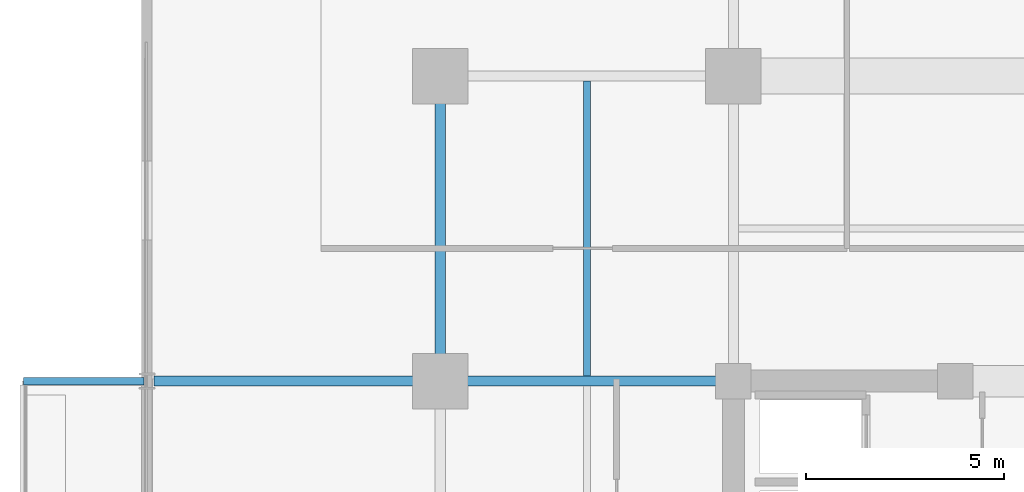
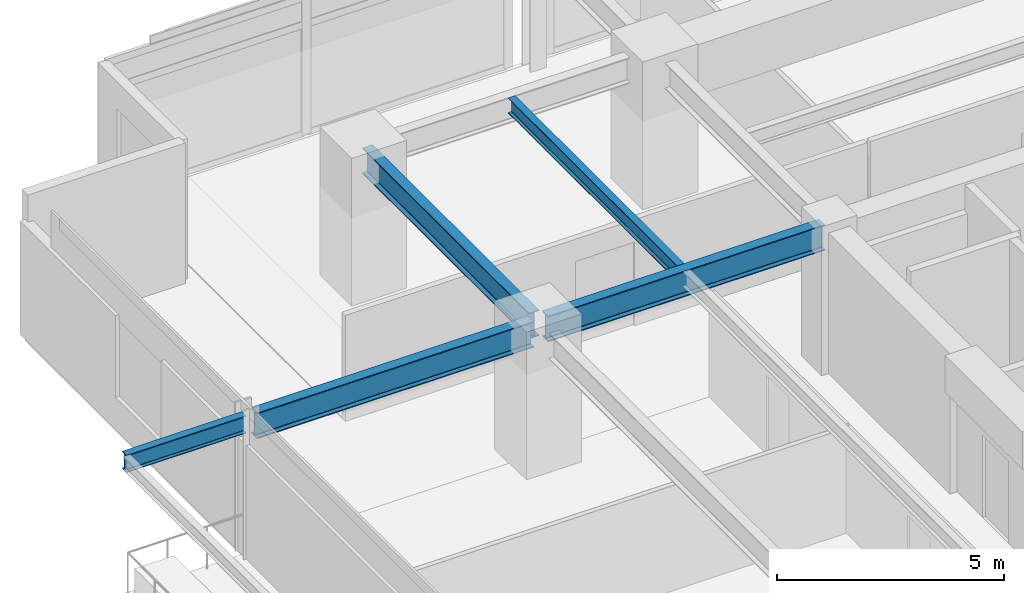
# One storey, part 5 of 22: 5 beams.
"""IFC4 building model written with IfcOpenShell, lengths in metres."""

from ifc_helpers import new_model, si_unit, direction, frame, origin, origin_2d, place, context, subcontext, project, spatial, i_section, extrude, material, material_profile, profile_set, type_object, element, save


model = new_model("IFC4")

# Units and contexts
model_context = context("Model", 3, precision=1e-05, world=origin(), true_north=direction((0.0, 1.0)))
body_context = subcontext(model_context, "Body", "Model", "MODEL_VIEW")
ifc_project = project(units=[si_unit("LENGTHUNIT", "METRE"), si_unit("AREAUNIT", "SQUARE_METRE"), si_unit("VOLUMEUNIT", "CUBIC_METRE"), si_unit("PLANEANGLEUNIT", "RADIAN"), si_unit("MASSUNIT", "GRAM", prefix="KILO")], contexts=[model_context])

# Site, building, storey
site_placement = place(None, origin())
site = spatial("IfcSite", under=ifc_project, at=site_placement, CompositionType="ELEMENT")
building_placement = place(site_placement, origin())
building = spatial("IfcBuilding", under=site, at=building_placement, Name="Kovane Verandah Tower", CompositionType="ELEMENT")
storey_placement = place(building_placement, frame((0.0, 0.0, 225.199951171875)))
storey = spatial("IfcBuildingStorey", under=building, at=storey_placement, Name="L52", CompositionType="ELEMENT", Elevation=225.199951171875)

# Beams
ifc_material = material(Name="Steel S355", Category="steel")
ifc_material_profile_1 = material_profile(ifc_material, i_section(OverallWidth=0.255859375, OverallDepth=0.69287109375, WebThickness=0.014404296875, FlangeThickness=0.023681640625, FilletRadius=0.01513671875, at=origin_2d()), Name="UB686x254x170")
ifc_profile_set_1 = profile_set([ifc_material_profile_1], Name="Steel S355")
beam_type_1 = type_object("IfcBeamType", Name="BM-UB686x170", PredefinedType="BEAM", material=ifc_profile_set_1)
beam_1_placement = place(storey_placement, frame((21.60009765625, 36.679931640625, 3.428466796875), z_axis=(0.0, 1.0, 0.0), x_axis=(-1.0, 0.0, 0.0)))
element("IfcBeam", 1, at=beam_1_placement, inside=storey, type_object=beam_type_1, Name="L52 Primary Tower Girder G-RW3", PredefinedType="BEAM", context=body_context, shape_type="SweptSolid", body=[
    extrude(i_section(OverallWidth=0.255859375, OverallDepth=0.69287109375, WebThickness=0.014404296875, FlangeThickness=0.023681640625, FilletRadius=0.01513671875, at=origin_2d()), origin(), (0.0, 0.0, 1.0), 7.340087890625),
])
for number, where, z_axis, x_axis, name in (
    (2, (28.820068359375, 36.5, 3.428466796875), (-1.0, 0.0, 0.0), (0.0, -1.0, 0.0), "L52 Primary Tower Girder G-W2"),
    (3, (21.419921875, 36.5, 3.41357421875), (-1.0, 0.0, 0.0), (0.0, -1.0, 0.0), "L52 Primary Tower Girder G-VW2"),
):
    element("IfcBeam", number, at=place(storey_placement, frame(where, z_axis=z_axis, x_axis=x_axis)), inside=storey, type_object=beam_type_1, Name=name, PredefinedType="BEAM", context=body_context, shape_type="SweptSolid", body=[
        extrude(i_section(OverallWidth=0.255859375, OverallDepth=0.69287109375, WebThickness=0.014404296875, FlangeThickness=0.023681640625, FilletRadius=0.01513671875, at=origin_2d()), origin(), (0.0, 0.0, 1.0), 7.0400390625),
    ])
ifc_material_profile_2 = material_profile(ifc_material, i_section(OverallWidth=0.179443359375, OverallDepth=0.412841796875, WebThickness=0.009521484375, FlangeThickness=0.01611328125, FilletRadius=0.01025390625, at=origin_2d()), Name="UB406x178x74")
ifc_profile_set_2 = profile_set([ifc_material_profile_2], Name="Steel S355")
beam_type_2 = type_object("IfcBeamType", Name="JST-UB406x74", PredefinedType="JOIST", material=ifc_profile_set_2)
beam_2_placement = place(storey_placement, frame((25.300048828125, 36.6259765625, 3.568603515625), z_axis=(0.0, 1.0, 0.0), x_axis=(-1.0, 0.0, 0.0)))
element("IfcBeam", 4, at=beam_2_placement, inside=storey, type_object=beam_type_2, Name="L52 Secondary Composite Joist J-NW1", PredefinedType="JOIST", context=body_context, shape_type="SweptSolid", body=[
    extrude(i_section(OverallWidth=0.179443359375, OverallDepth=0.412841796875, WebThickness=0.009521484375, FlangeThickness=0.01611328125, FilletRadius=0.01025390625, at=origin_2d()), origin(), (0.0, 0.0, 1.0), 7.4482421875),
])
ifc_material_profile_3 = material_profile(ifc_material, i_section(OverallWidth=0.19287109375, OverallDepth=0.46728515625, WebThickness=0.011474609375, FlangeThickness=0.01953125, FilletRadius=0.01025390625, at=origin_2d()), Name="UB457x191x98")
ifc_profile_set_3 = profile_set([ifc_material_profile_3], Name="Steel S355")
beam_type_3 = type_object("IfcBeamType", Name="JST-UB457x98", PredefinedType="JOIST", material=ifc_profile_set_3)
beam_3_placement = place(storey_placement, frame((14.1201171875, 36.5, 3.5263671875), z_axis=(-1.0, 0.0, 0.0), x_axis=(0.0, -1.0, 0.0)))
element("IfcBeam", 5, at=beam_3_placement, inside=storey, type_object=beam_type_3, Name="L52 West Planter Girder 2", PredefinedType="JOIST", context=body_context, shape_type="SweptSolid", body=[
    extrude(i_section(OverallWidth=0.19287109375, OverallDepth=0.46728515625, WebThickness=0.011474609375, FlangeThickness=0.01953125, FilletRadius=0.01025390625, at=origin_2d()), origin(), (0.0, 0.0, 1.0), 3.039306640625),
])

save(model, "model.ifc")
